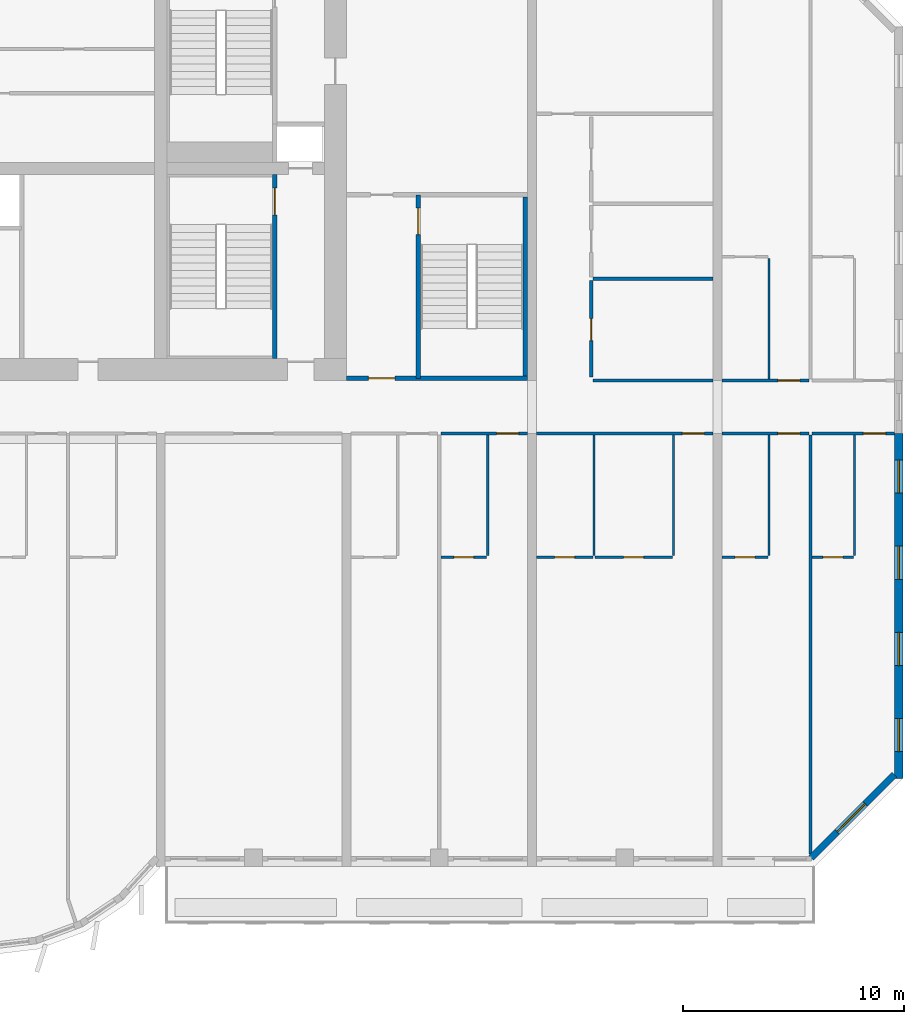
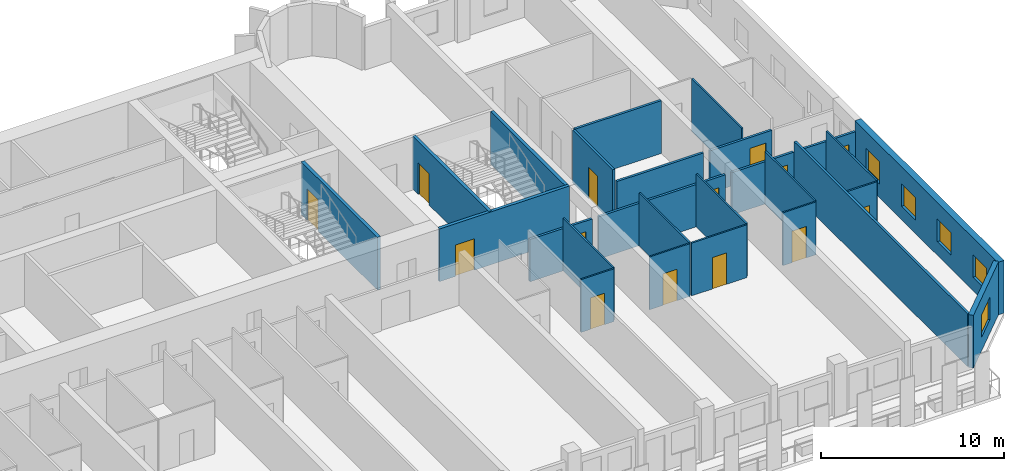
# One storey, part 9 of 15: 26 walls, 14 doors, 5 windows, 19 openings.
"""IFC4 building model written with IfcOpenShell, lengths in metres."""

from ifc_helpers import new_model, si_unit, direction, frame, frame_2d, origin, place, context, subcontext, project, spatial, rectangle, extrude, source, transform, mapped, material, layer, layer_set, type_object, element, fill, save


model = new_model("IFC4")

# Units and contexts
model_context = context("Model", 3, precision=1e-05, world=origin(), true_north=direction((0.0, 1.0)))
body_context = subcontext(model_context, "Body", "Model", "MODEL_VIEW")
ifc_project = project(units=[si_unit("LENGTHUNIT", "METRE"), si_unit("AREAUNIT", "SQUARE_METRE"), si_unit("VOLUMEUNIT", "CUBIC_METRE"), si_unit("PLANEANGLEUNIT", "RADIAN"), si_unit("MASSUNIT", "GRAM", prefix="KILO")], contexts=[model_context])

# Site, building, storey
site_placement = place(None, origin())
site = spatial("IfcSite", under=ifc_project, at=site_placement, CompositionType="ELEMENT")
building_placement = place(site_placement, origin())
building = spatial("IfcBuilding", under=site, at=building_placement, Name="Vanashikhar Sky Hotel", CompositionType="ELEMENT")
storey_placement = place(building_placement, frame((0.0, 0.0, 77.199951171875)))
storey = spatial("IfcBuildingStorey", under=building, at=storey_placement, Name="L18", CompositionType="ELEMENT", Elevation=77.199951171875)

# Wall, openings, windows
ifc_material_1 = material(Name="Concrete M80", Category="concrete")
ifc_layer_1 = layer(ifc_material_1, 0.39990234375)
ifc_layer_set_1 = layer_set([ifc_layer_1], Name="RC shear wall 400 Concrete M80")
wall_type_1 = type_object("IfcWallType", Name="RC shear wall 400 Concrete M80", PredefinedType="SHEAR", material=ifc_layer_set_1)
shared_shape_1 = source(origin(), body_context, "Body", "SweptSolid", [
    extrude(rectangle(XDim=15.60009765625, YDim=0.39990234375, at=frame_2d((7.800048828125, 0.0))), origin(), (0.0, 0.0, 1.0), 3.52001953125),
])
wall_1_placement = place(storey_placement, frame((100.60009765625, 4.0, 0.0), z_axis=(0.0, 0.0, 1.0), x_axis=(0.0, 1.0, 0.0)))
wall_1 = element("IfcWall", 1, at=wall_1_placement, inside=storey, type_object=wall_type_1, Name="CW-L18-XW13-1", PredefinedType="SHEAR", context=body_context, shape_type="MappedRepresentation", body=[
    mapped(shared_shape_1, transform((0.0, 0.0, 0.0), scale=1.0)),
])
shared_shape_2 = source(origin(), body_context, "Body", "SweptSolid", [
    extrude(rectangle(XDim=1.5, YDim=1.5, at=frame_2d((0.75, 0.75))), frame((0.0, 0.2099609375, 0.0), z_axis=(0.0, -1.0, 0.0), x_axis=(1.0, 0.0, 0.0)), (0.0, 0.0, 1.0), 0.419921875),
])
opening_1_placement = place(wall_1_placement, frame((1.199951171875, 0.0, 0.89990234375)))
opening_1 = element("IfcOpeningElement", 2, at=opening_1_placement, cuts=wall_1, Name="Opening WN-1", PredefinedType="OPENING", context=body_context, shape_type="MappedRepresentation", body=[
    mapped(shared_shape_2, transform((0.0, 0.0, 0.0), scale=1.0)),
])
opening_2_placement = place(wall_1_placement, frame((5.10009765625, 0.0, 0.89990234375)))
opening_2 = element("IfcOpeningElement", 3, at=opening_2_placement, cuts=wall_1, Name="Opening WN-1", PredefinedType="OPENING", context=body_context, shape_type="MappedRepresentation", body=[
    mapped(shared_shape_2, transform((0.0, 0.0, 0.0), scale=1.0)),
])
opening_3_placement = place(wall_1_placement, frame((9.0, 0.0, 0.89990234375)))
opening_3 = element("IfcOpeningElement", 4, at=opening_3_placement, cuts=wall_1, Name="Opening WN-1", PredefinedType="OPENING", context=body_context, shape_type="MappedRepresentation", body=[
    mapped(shared_shape_2, transform((0.0, 0.0, 0.0), scale=1.0)),
])
opening_4_placement = place(wall_1_placement, frame((12.89990234375, 0.0, 0.89990234375)))
opening_4 = element("IfcOpeningElement", 5, at=opening_4_placement, cuts=wall_1, Name="Opening WN-1", PredefinedType="OPENING", context=body_context, shape_type="MappedRepresentation", body=[
    mapped(shared_shape_2, transform((0.0, 0.0, 0.0), scale=1.0)),
])
ifc_material_2 = material(Name="Glass", Category="glass")
window_type_1 = type_object("IfcWindowType", Name="Window 1500 x 1500", PartitioningType="SINGLE_PANEL", PredefinedType="WINDOW", material=ifc_material_2)
shared_shape_3 = source(origin(), body_context, "Body", "SweptSolid", [
    extrude(rectangle(XDim=1.5, YDim=1.5, at=frame_2d((0.75, 0.75))), frame((0.0, 0.030029296875, 0.0), z_axis=(0.0, -1.0, 0.0), x_axis=(1.0, 0.0, 0.0)), (0.0, 0.0, 1.0), 0.06005859375),
])
window_1_placement = place(opening_1_placement, origin())
window_1 = element("IfcWindow", 6, at=window_1_placement, inside=storey, type_object=window_type_1, Name="Window WN-1", OverallHeight=1.5, OverallWidth=1.5, PartitioningType="SINGLE_PANEL", PredefinedType="WINDOW", context=body_context, shape_type="MappedRepresentation", body=[
    mapped(shared_shape_3, transform((0.0, 0.0, 0.0), scale=1.0)),
])
fill(opening_1, window_1)
window_2_placement = place(opening_2_placement, origin())
window_2 = element("IfcWindow", 7, at=window_2_placement, inside=storey, type_object=window_type_1, Name="Window WN-1", OverallHeight=1.5, OverallWidth=1.5, PartitioningType="SINGLE_PANEL", PredefinedType="WINDOW", context=body_context, shape_type="MappedRepresentation", body=[
    mapped(shared_shape_3, transform((0.0, 0.0, 0.0), scale=1.0)),
])
fill(opening_2, window_2)
window_3_placement = place(opening_3_placement, origin())
window_3 = element("IfcWindow", 8, at=window_3_placement, inside=storey, type_object=window_type_1, Name="Window WN-1", OverallHeight=1.5, OverallWidth=1.5, PartitioningType="SINGLE_PANEL", PredefinedType="WINDOW", context=body_context, shape_type="MappedRepresentation", body=[
    mapped(shared_shape_3, transform((0.0, 0.0, 0.0), scale=1.0)),
])
fill(opening_3, window_3)
window_4_placement = place(opening_4_placement, origin())
window_4 = element("IfcWindow", 9, at=window_4_placement, inside=storey, type_object=window_type_1, Name="Window WN-1", OverallHeight=1.5, OverallWidth=1.5, PartitioningType="SINGLE_PANEL", PredefinedType="WINDOW", context=body_context, shape_type="MappedRepresentation", body=[
    mapped(shared_shape_3, transform((0.0, 0.0, 0.0), scale=1.0)),
])
fill(opening_4, window_4)

# Wall, opening, window
ifc_material_3 = material(Name="Concrete M50", Category="concrete")
ifc_layer_2 = layer(ifc_material_3, 0.300048828125)
ifc_layer_set_2 = layer_set([ifc_layer_2], Name="Lobe wall 300")
wall_type_2 = type_object("IfcWallType", Name="Lobe wall 300", PredefinedType="SOLIDWALL", material=ifc_layer_set_2)
shared_shape_4 = source(origin(), body_context, "Body", "SweptSolid", [
    extrude(rectangle(XDim=5.32568359375, YDim=0.300048828125, at=frame_2d((2.662841796875, 0.0))), origin(), (0.0, 0.0, 1.0), 3.52001953125),
])
wall_2_placement = place(storey_placement, frame((96.63427734375, 0.39990234375, 0.0), z_axis=(0.0, 0.0, 1.0), x_axis=(0.707083859269, 0.707129702361, 0.0)))
wall_2 = element("IfcWall", 10, at=wall_2_placement, inside=storey, type_object=wall_type_2, Name="Corner wall", PredefinedType="SOLIDWALL", context=body_context, shape_type="MappedRepresentation", body=[
    mapped(shared_shape_4, transform((0.0, 0.0, 0.0), scale=1.0)),
])
shared_shape_5 = source(origin(), body_context, "Body", "SweptSolid", [
    extrude(rectangle(XDim=1.800048828125, YDim=1.5, at=frame_2d((0.89990234375, 0.75))), frame((0.0, 0.16015625, 0.0), z_axis=(0.0, -1.0, 0.0), x_axis=(1.0, 0.0, 0.0)), (0.0, 0.0, 1.0), 0.320068359375),
])
opening_5_placement = place(wall_2_placement, frame((1.654296875, 0.0, 0.89990234375)))
opening_5 = element("IfcOpeningElement", 11, at=opening_5_placement, cuts=wall_2, Name="Opening WN-4", PredefinedType="OPENING", context=body_context, shape_type="MappedRepresentation", body=[
    mapped(shared_shape_5, transform((0.0, 0.0, 0.0), scale=1.0)),
])
window_type_2 = type_object("IfcWindowType", Name="Corner window 1800 x 1500", PartitioningType="SINGLE_PANEL", PredefinedType="WINDOW", material=ifc_material_2)
shared_shape_6 = source(origin(), body_context, "Body", "SweptSolid", [
    extrude(rectangle(XDim=1.800048828125, YDim=1.5, at=frame_2d((0.89990234375, 0.75))), frame((0.0, 0.030029296875, 0.0), z_axis=(0.0, -1.0, 0.0), x_axis=(1.0, 0.0, 0.0)), (0.0, 0.0, 1.0), 0.06005859375),
])
window_5_placement = place(opening_5_placement, origin())
window_5 = element("IfcWindow", 12, at=window_5_placement, inside=storey, type_object=window_type_2, Name="Window WN-4", OverallHeight=1.5, OverallWidth=1.800048828125, PartitioningType="SINGLE_PANEL", PredefinedType="WINDOW", context=body_context, shape_type="MappedRepresentation", body=[
    mapped(shared_shape_6, transform((0.0, 0.0, 0.0), scale=1.0)),
])
fill(opening_5, window_5)

# Wall, opening, door
ifc_layer_3 = layer(ifc_material_3, 0.199951171875)
ifc_layer_set_3 = layer_set([ifc_layer_3], Name="Stair wall 200")
wall_type_3 = type_object("IfcWallType", Name="Stair wall 200", PredefinedType="SOLIDWALL", material=ifc_layer_set_3)
shared_shape_7 = source(origin(), body_context, "Body", "SweptSolid", [
    extrude(rectangle(XDim=8.199951171875, YDim=0.199951171875, at=frame_2d((4.10009765625, 0.0))), origin(), (0.0, 0.0, 1.0), 3.52001953125),
])
wall_3_placement = place(storey_placement, frame((83.800048828125, 22.10009765625, 0.0), z_axis=(0.0, 0.0, 1.0), x_axis=(-1.0, 0.0, 0.0)))
wall_3 = element("IfcWall", 13, at=wall_3_placement, inside=storey, type_object=wall_type_3, Name="Stair wall 200", PredefinedType="SOLIDWALL", context=body_context, shape_type="MappedRepresentation", body=[
    mapped(shared_shape_7, transform((0.0, 0.0, 0.0), scale=1.0)),
])
shared_shape_8 = source(origin(), body_context, "Body", "SweptSolid", [
    extrude(rectangle(XDim=1.199951171875, YDim=2.10009765625, at=frame_2d((0.60009765625, 1.050048828125))), frame((0.0, 0.10986328125, 0.0), z_axis=(0.0, -1.0, 0.0), x_axis=(1.0, 0.0, 0.0)), (0.0, 0.0, 1.0), 0.219970703125),
])
opening_6_placement = place(wall_3_placement, frame((6.0, 0.0, 0.0)))
opening_6 = element("IfcOpeningElement", 14, at=opening_6_placement, cuts=wall_3, Name="Opening DC-2", PredefinedType="OPENING", context=body_context, shape_type="MappedRepresentation", body=[
    mapped(shared_shape_8, transform((0.0, 0.0, 0.0), scale=1.0)),
])
ifc_material_4 = material(Name="Steel", Category="steel")
door_type_1 = type_object("IfcDoorType", Name="Firefighting lobby door 1200 FD120", OperationType="NOTDEFINED", PredefinedType="DOOR", material=ifc_material_4)
shared_shape_9 = source(origin(), body_context, "Body", "SweptSolid", [
    extrude(rectangle(XDim=1.199951171875, YDim=2.10009765625, at=frame_2d((0.60009765625, 1.050048828125))), frame((0.0, 0.02490234375, 0.0), z_axis=(0.0, -1.0, 0.0), x_axis=(1.0, 0.0, 0.0)), (0.0, 0.0, 1.0), 0.050048828125),
])
door_1_placement = place(opening_6_placement, origin())
door_1 = element("IfcDoor", 15, at=door_1_placement, inside=storey, type_object=door_type_1, Name="Firefighting lobby door 1200 FD120", OperationType="SINGLE_SWING_RIGHT", OverallHeight=2.10009765625, OverallWidth=1.199951171875, PredefinedType="DOOR", context=body_context, shape_type="MappedRepresentation", body=[
    mapped(shared_shape_9, transform((0.0, 0.0, 0.0), scale=1.0)),
])
fill(opening_6, door_1)

shared_shape_10 = source(origin(), body_context, "Body", "SweptSolid", [
    extrude(rectangle(XDim=8.2998046875, YDim=0.199951171875, at=frame_2d((4.14990234375, 0.0))), origin(), (0.0, 0.0, 1.0), 3.52001953125),
])
wall_4_placement = place(storey_placement, frame((78.85009765625, 22.10009765625, 0.0), z_axis=(0.0, 0.0, 1.0), x_axis=(0.0, 1.0, 0.0)))
wall_4 = element("IfcWall", 16, at=wall_4_placement, inside=storey, type_object=wall_type_3, Name="Stair wall 200", PredefinedType="SOLIDWALL", context=body_context, shape_type="MappedRepresentation", body=[
    mapped(shared_shape_10, transform((0.0, 0.0, 0.0), scale=1.0)),
])
opening_7_placement = place(wall_4_placement, frame((6.5, 0.0, 0.0)))
opening_7 = element("IfcOpeningElement", 17, at=opening_7_placement, cuts=wall_4, Name="Opening DC-1", PredefinedType="OPENING", context=body_context, shape_type="MappedRepresentation", body=[
    mapped(shared_shape_8, transform((0.0, 0.0, 0.0), scale=1.0)),
])
door_type_2 = type_object("IfcDoorType", Name="Stair door 1200 FD120", OperationType="NOTDEFINED", PredefinedType="DOOR", material=ifc_material_4)
door_2_placement = place(opening_7_placement, origin())
door_2 = element("IfcDoor", 18, at=door_2_placement, inside=storey, type_object=door_type_2, Name="Stair door 1200 FD120", OperationType="SINGLE_SWING_RIGHT", OverallHeight=2.10009765625, OverallWidth=1.199951171875, PredefinedType="DOOR", context=body_context, shape_type="MappedRepresentation", body=[
    mapped(shared_shape_9, transform((0.0, 0.0, 0.0), scale=1.0)),
])
fill(opening_7, door_2)

shared_shape_11 = source(origin(), body_context, "Body", "SweptSolid", [
    extrude(rectangle(XDim=8.324951171875, YDim=0.199951171875, at=frame_2d((4.16259765625, 0.0))), origin(), (0.0, 0.0, 1.0), 3.52001953125),
])
wall_5_placement = place(storey_placement, frame((72.35009765625, 23.0, 0.0), z_axis=(0.0, 0.0, 1.0), x_axis=(0.0, 1.0, 0.0)))
wall_5 = element("IfcWall", 19, at=wall_5_placement, inside=storey, type_object=wall_type_3, Name="Stair wall 200", PredefinedType="SOLIDWALL", context=body_context, shape_type="MappedRepresentation", body=[
    mapped(shared_shape_11, transform((0.0, 0.0, 0.0), scale=1.0)),
])
opening_8_placement = place(wall_5_placement, frame((6.5, 0.0, 0.0)))
opening_8 = element("IfcOpeningElement", 20, at=opening_8_placement, cuts=wall_5, Name="Opening DC-1", PredefinedType="OPENING", context=body_context, shape_type="MappedRepresentation", body=[
    mapped(shared_shape_8, transform((0.0, 0.0, 0.0), scale=1.0)),
])
door_3_placement = place(opening_8_placement, origin())
door_3 = element("IfcDoor", 21, at=door_3_placement, inside=storey, type_object=door_type_2, Name="Stair door 1200 FD120", OperationType="SINGLE_SWING_LEFT", OverallHeight=2.10009765625, OverallWidth=1.199951171875, PredefinedType="DOOR", context=body_context, shape_type="MappedRepresentation", body=[
    mapped(shared_shape_9, transform((0.0, 0.0, 0.0), scale=1.0)),
])
fill(opening_8, door_3)

# Walls
ifc_layer_4 = layer(ifc_material_3, 0.199951171875)
ifc_layer_set_4 = layer_set([ifc_layer_4], Name="Stair infill wall 200")
wall_type_4 = type_object("IfcWallType", Name="Stair infill wall 200", PredefinedType="SOLIDWALL", material=ifc_layer_set_4)
shared_shape_12 = source(origin(), body_context, "Body", "SweptSolid", [
    extrude(rectangle(XDim=8.10009765625, YDim=0.199951171875, at=frame_2d((4.050048828125, 0.0))), origin(), (0.0, 0.0, 1.0), 3.52001953125),
])
wall_6_placement = place(storey_placement, frame((83.699951171875, 22.199951171875, 0.0), z_axis=(0.0, 0.0, 1.0), x_axis=(0.0, 1.0, 0.0)))
element("IfcWall", 22, at=wall_6_placement, inside=storey, type_object=wall_type_4, Name="Stair infill wall 200", PredefinedType="SOLIDWALL", context=body_context, shape_type="MappedRepresentation", body=[
    mapped(shared_shape_12, transform((0.0, 0.0, 0.0), scale=1.0)),
])
ifc_material_5 = material(Name="Gypsum plasterboard partition")
ifc_layer_5 = layer(ifc_material_5, 0.14990234375)
ifc_layer_set_5 = layer_set([ifc_layer_5], Name="Corridor and demising partition 150")
wall_type_5 = type_object("IfcWallType", Name="Corridor and demising partition 150", PredefinedType="PARTITIONING", material=ifc_layer_set_5)
shared_shape_13 = source(origin(), body_context, "Body", "SweptSolid", [
    extrude(rectangle(XDim=18.947021484375, YDim=0.14990234375, at=frame_2d((9.4736328125, 0.0))), origin(), (0.0, 0.0, 1.0), 3.52001953125),
])
wall_7_placement = place(storey_placement, frame((96.60009765625, 0.577880859375, 0.0), z_axis=(0.0, 0.0, 1.0), x_axis=(0.0, 1.0, 0.0)))
element("IfcWall", 23, at=wall_7_placement, inside=storey, type_object=wall_type_5, Name="W-L18-PW068", PredefinedType="PARTITIONING", context=body_context, shape_type="MappedRepresentation", body=[
    mapped(shared_shape_13, transform((0.0, 0.0, 0.0), scale=1.0)),
])

# Wall, opening, door
shared_shape_14 = source(origin(), body_context, "Body", "SweptSolid", [
    extrude(rectangle(XDim=4.375, YDim=0.14990234375, at=frame_2d((2.1875, 0.0))), origin(), (0.0, 0.0, 1.0), 3.52001953125),
])
wall_8_placement = place(storey_placement, frame((86.675048828125, 22.14990234375, 0.0), z_axis=(0.0, 0.0, 1.0), x_axis=(0.0, 1.0, 0.0)))
wall_8 = element("IfcWall", 24, at=wall_8_placement, inside=storey, type_object=wall_type_5, Name="W-L18-PW086", PredefinedType="PARTITIONING", context=body_context, shape_type="MappedRepresentation", body=[
    mapped(shared_shape_14, transform((0.0, 0.0, 0.0), scale=1.0)),
])
shared_shape_15 = source(origin(), body_context, "Body", "SweptSolid", [
    extrude(rectangle(XDim=1.0, YDim=2.10009765625, at=frame_2d((0.5, 1.050048828125))), frame((0.0, 0.0849609375, 0.0), z_axis=(0.0, -1.0, 0.0), x_axis=(1.0, 0.0, 0.0)), (0.0, 0.0, 1.0), 0.169921875),
])
opening_9_placement = place(wall_8_placement, frame((1.64990234375, 0.0, 0.0)))
opening_9 = element("IfcOpeningElement", 25, at=opening_9_placement, cuts=wall_8, Name="Opening D-01", PredefinedType="OPENING", context=body_context, shape_type="MappedRepresentation", body=[
    mapped(shared_shape_15, transform((0.0, 0.0, 0.0), scale=1.0)),
])
ifc_material_6 = material(Name="Timber fire door", Category="wood")
door_type_3 = type_object("IfcDoorType", Name="Guest entry door 1000 FD30S", OperationType="NOTDEFINED", PredefinedType="DOOR", material=ifc_material_6)
shared_shape_16 = source(origin(), body_context, "Body", "SweptSolid", [
    extrude(rectangle(XDim=1.0, YDim=2.10009765625, at=frame_2d((0.5, 1.050048828125))), frame((0.0, 0.02490234375, 0.0), z_axis=(0.0, -1.0, 0.0), x_axis=(1.0, 0.0, 0.0)), (0.0, 0.0, 1.0), 0.050048828125),
])
door_4_placement = place(opening_9_placement, origin())
door_4 = element("IfcDoor", 26, at=door_4_placement, inside=storey, type_object=door_type_3, Name="D-L18-049", OperationType="SINGLE_SWING_LEFT", OverallHeight=2.10009765625, OverallWidth=1.0, PredefinedType="DOOR", context=body_context, shape_type="MappedRepresentation", body=[
    mapped(shared_shape_16, transform((0.0, 0.0, 0.0), scale=1.0)),
])
fill(opening_9, door_4)

ifc_layer_6 = layer(ifc_material_5, 0.10009765625)
ifc_layer_set_6 = layer_set([ifc_layer_6], Name="Wet room partition 100")
wall_type_6 = type_object("IfcWallType", Name="Wet room partition 100", PredefinedType="PARTITIONING", material=ifc_layer_set_6)
shared_shape_17 = source(origin(), body_context, "Body", "SweptSolid", [
    extrude(rectangle(XDim=3.5, YDim=0.10009765625, at=frame_2d((1.75, 0.0))), origin(), (0.0, 0.0, 1.0), 3.52001953125),
])
wall_9_placement = place(storey_placement, frame((86.85009765625, 14.0, 0.0), z_axis=(0.0, 0.0, 1.0), x_axis=(1.0, 0.0, 0.0)))
wall_9 = element("IfcWall", 27, at=wall_9_placement, inside=storey, type_object=wall_type_6, Name="W-L18-PW059", PredefinedType="PARTITIONING", context=body_context, shape_type="MappedRepresentation", body=[
    mapped(shared_shape_17, transform((0.0, 0.0, 0.0), scale=1.0)),
])
shared_shape_18 = source(origin(), body_context, "Body", "SweptSolid", [
    extrude(rectangle(XDim=0.89990234375, YDim=2.10009765625, at=frame_2d((0.449951171875, 1.050048828125))), frame((0.0, 0.06005859375, 0.0), z_axis=(0.0, -1.0, 0.0), x_axis=(1.0, 0.0, 0.0)), (0.0, 0.0, 1.0), 0.1201171875),
])
opening_10_placement = place(wall_9_placement, frame((1.300048828125, 0.0, 0.0)))
opening_10 = element("IfcOpeningElement", 28, at=opening_10_placement, cuts=wall_9, Name="Opening D-02", PredefinedType="OPENING", context=body_context, shape_type="MappedRepresentation", body=[
    mapped(shared_shape_18, transform((0.0, 0.0, 0.0), scale=1.0)),
])
ifc_material_7 = material(Name="Timber door", Category="wood")
door_type_4 = type_object("IfcDoorType", Name="Internal door 900", OperationType="NOTDEFINED", PredefinedType="DOOR", material=ifc_material_7)
shared_shape_19 = source(origin(), body_context, "Body", "SweptSolid", [
    extrude(rectangle(XDim=0.89990234375, YDim=2.10009765625, at=frame_2d((0.449951171875, 1.050048828125))), frame((0.0, 0.02490234375, 0.0), z_axis=(0.0, -1.0, 0.0), x_axis=(1.0, 0.0, 0.0)), (0.0, 0.0, 1.0), 0.050048828125),
])
door_5_placement = place(opening_10_placement, origin())
door_5 = element("IfcDoor", 29, at=door_5_placement, inside=storey, type_object=door_type_4, Name="D-L18-034", OperationType="SINGLE_SWING_RIGHT", OverallHeight=2.10009765625, OverallWidth=0.89990234375, PredefinedType="DOOR", context=body_context, shape_type="MappedRepresentation", body=[
    mapped(shared_shape_19, transform((0.0, 0.0, 0.0), scale=1.0)),
])
fill(opening_10, door_5)

shared_shape_20 = source(origin(), body_context, "Body", "SweptSolid", [
    extrude(rectangle(XDim=2.074951171875, YDim=0.10009765625, at=frame_2d((1.03759765625, 0.0))), origin(), (0.0, 0.0, 1.0), 3.52001953125),
])
wall_10_placement = place(storey_placement, frame((79.875, 14.0, 0.0), z_axis=(0.0, 0.0, 1.0), x_axis=(1.0, 0.0, 0.0)))
wall_10 = element("IfcWall", 30, at=wall_10_placement, inside=storey, type_object=wall_type_6, Name="W-L18-PW054", PredefinedType="PARTITIONING", context=body_context, shape_type="MappedRepresentation", body=[
    mapped(shared_shape_20, transform((0.0, 0.0, 0.0), scale=1.0)),
])
opening_11_placement = place(wall_10_placement, frame((0.5869140625, 0.0, 0.0)))
opening_11 = element("IfcOpeningElement", 31, at=opening_11_placement, cuts=wall_10, Name="Opening D-02", PredefinedType="OPENING", context=body_context, shape_type="MappedRepresentation", body=[
    mapped(shared_shape_18, transform((0.0, 0.0, 0.0), scale=1.0)),
])
door_6_placement = place(opening_11_placement, origin())
door_6 = element("IfcDoor", 32, at=door_6_placement, inside=storey, type_object=door_type_4, Name="D-L18-032", OperationType="SINGLE_SWING_RIGHT", OverallHeight=2.10009765625, OverallWidth=0.89990234375, PredefinedType="DOOR", context=body_context, shape_type="MappedRepresentation", body=[
    mapped(shared_shape_19, transform((0.0, 0.0, 0.0), scale=1.0)),
])
fill(opening_11, door_6)

wall_11_placement = place(storey_placement, frame((92.60009765625, 14.0, 0.0), z_axis=(0.0, 0.0, 1.0), x_axis=(1.0, 0.0, 0.0)))
wall_11 = element("IfcWall", 33, at=wall_11_placement, inside=storey, type_object=wall_type_6, Name="W-L18-PW063", PredefinedType="PARTITIONING", context=body_context, shape_type="MappedRepresentation", body=[
    mapped(shared_shape_20, transform((0.0, 0.0, 0.0), scale=1.0)),
])
opening_12_placement = place(wall_11_placement, frame((0.5869140625, 0.0, 0.0)))
opening_12 = element("IfcOpeningElement", 34, at=opening_12_placement, cuts=wall_11, Name="Opening D-02", PredefinedType="OPENING", context=body_context, shape_type="MappedRepresentation", body=[
    mapped(shared_shape_18, transform((0.0, 0.0, 0.0), scale=1.0)),
])
door_7_placement = place(opening_12_placement, origin())
door_7 = element("IfcDoor", 35, at=door_7_placement, inside=storey, type_object=door_type_4, Name="D-L18-037", OperationType="SINGLE_SWING_RIGHT", OverallHeight=2.10009765625, OverallWidth=0.89990234375, PredefinedType="DOOR", context=body_context, shape_type="MappedRepresentation", body=[
    mapped(shared_shape_19, transform((0.0, 0.0, 0.0), scale=1.0)),
])
fill(opening_12, door_7)

shared_shape_21 = source(origin(), body_context, "Body", "SweptSolid", [
    extrude(rectangle(XDim=3.9248046875, YDim=0.14990234375, at=frame_2d((1.96240234375, 0.0))), origin(), (0.0, 0.0, 1.0), 2.820068359375),
])
wall_12_placement = place(storey_placement, frame((92.60009765625, 19.60009765625, 0.0), z_axis=(0.0, 0.0, 1.0), x_axis=(1.0, 0.0, 0.0)))
wall_12 = element("IfcWall", 36, at=wall_12_placement, inside=storey, type_object=wall_type_5, Name="W-L18-PW064", PredefinedType="PARTITIONING", context=body_context, shape_type="MappedRepresentation", body=[
    mapped(shared_shape_21, transform((0.0, 0.0, 0.0), scale=1.0)),
])
opening_13_placement = place(wall_12_placement, frame((2.52490234375, 0.0, 0.0)))
opening_13 = element("IfcOpeningElement", 37, at=opening_13_placement, cuts=wall_12, Name="Opening D-01", PredefinedType="OPENING", context=body_context, shape_type="MappedRepresentation", body=[
    mapped(shared_shape_15, transform((0.0, 0.0, 0.0), scale=1.0)),
])
door_8_placement = place(opening_13_placement, origin())
door_8 = element("IfcDoor", 38, at=door_8_placement, inside=storey, type_object=door_type_3, Name="D-L18-038", OperationType="SINGLE_SWING_RIGHT", OverallHeight=2.10009765625, OverallWidth=1.0, PredefinedType="DOOR", context=body_context, shape_type="MappedRepresentation", body=[
    mapped(shared_shape_16, transform((0.0, 0.0, 0.0), scale=1.0)),
])
fill(opening_13, door_8)

wall_13_placement = place(storey_placement, frame((92.60009765625, 22.0, 0.0), z_axis=(0.0, 0.0, 1.0), x_axis=(1.0, 0.0, 0.0)))
wall_13 = element("IfcWall", 39, at=wall_13_placement, inside=storey, type_object=wall_type_5, Name="W-L18-PW094", PredefinedType="PARTITIONING", context=body_context, shape_type="MappedRepresentation", body=[
    mapped(shared_shape_21, transform((0.0, 0.0, 0.0), scale=1.0)),
])
opening_14_placement = place(wall_13_placement, frame((2.52490234375, 0.0, 0.0)))
opening_14 = element("IfcOpeningElement", 40, at=opening_14_placement, cuts=wall_13, Name="Opening D-01", PredefinedType="OPENING", context=body_context, shape_type="MappedRepresentation", body=[
    mapped(shared_shape_15, transform((0.0, 0.0, 0.0), scale=1.0)),
])
door_9_placement = place(opening_14_placement, origin())
door_9 = element("IfcDoor", 41, at=door_9_placement, inside=storey, type_object=door_type_3, Name="D-L18-054", OperationType="SINGLE_SWING_RIGHT", OverallHeight=2.10009765625, OverallWidth=1.0, PredefinedType="DOOR", context=body_context, shape_type="MappedRepresentation", body=[
    mapped(shared_shape_16, transform((0.0, 0.0, 0.0), scale=1.0)),
])
fill(opening_14, door_9)

shared_shape_22 = source(origin(), body_context, "Body", "SweptSolid", [
    extrude(rectangle(XDim=3.925048828125, YDim=0.14990234375, at=frame_2d((1.96240234375, 0.0))), origin(), (0.0, 0.0, 1.0), 2.820068359375),
])
wall_14_placement = place(storey_placement, frame((79.875, 19.60009765625, 0.0), z_axis=(0.0, 0.0, 1.0), x_axis=(1.0, 0.0, 0.0)))
wall_14 = element("IfcWall", 42, at=wall_14_placement, inside=storey, type_object=wall_type_5, Name="W-L18-PW055", PredefinedType="PARTITIONING", context=body_context, shape_type="MappedRepresentation", body=[
    mapped(shared_shape_22, transform((0.0, 0.0, 0.0), scale=1.0)),
])
opening_15_placement = place(wall_14_placement, frame((2.52490234375, 0.0, 0.0)))
opening_15 = element("IfcOpeningElement", 43, at=opening_15_placement, cuts=wall_14, Name="Opening D-01", PredefinedType="OPENING", context=body_context, shape_type="MappedRepresentation", body=[
    mapped(shared_shape_15, transform((0.0, 0.0, 0.0), scale=1.0)),
])
door_10_placement = place(opening_15_placement, origin())
door_10 = element("IfcDoor", 44, at=door_10_placement, inside=storey, type_object=door_type_3, Name="D-L18-033", OperationType="SINGLE_SWING_RIGHT", OverallHeight=2.10009765625, OverallWidth=1.0, PredefinedType="DOOR", context=body_context, shape_type="MappedRepresentation", body=[
    mapped(shared_shape_16, transform((0.0, 0.0, 0.0), scale=1.0)),
])
fill(opening_15, door_10)

shared_shape_23 = source(origin(), body_context, "Body", "SweptSolid", [
    extrude(rectangle(XDim=2.550048828125, YDim=0.10009765625, at=frame_2d((1.27490234375, 0.0))), origin(), (0.0, 0.0, 1.0), 3.52001953125),
])
wall_15_placement = place(storey_placement, frame((84.199951171875, 14.0, 0.0), z_axis=(0.0, 0.0, 1.0), x_axis=(1.0, 0.0, 0.0)))
wall_15 = element("IfcWall", 45, at=wall_15_placement, inside=storey, type_object=wall_type_6, Name="W-L18-PW060", PredefinedType="PARTITIONING", context=body_context, shape_type="MappedRepresentation", body=[
    mapped(shared_shape_23, transform((0.0, 0.0, 0.0), scale=1.0)),
])
opening_16_placement = place(wall_15_placement, frame((0.824951171875, 0.0, 0.0)))
opening_16 = element("IfcOpeningElement", 46, at=opening_16_placement, cuts=wall_15, Name="Opening D-02", PredefinedType="OPENING", context=body_context, shape_type="MappedRepresentation", body=[
    mapped(shared_shape_18, transform((0.0, 0.0, 0.0), scale=1.0)),
])
door_11_placement = place(opening_16_placement, origin())
door_11 = element("IfcDoor", 47, at=door_11_placement, inside=storey, type_object=door_type_4, Name="D-L18-035", OperationType="SINGLE_SWING_RIGHT", OverallHeight=2.10009765625, OverallWidth=0.89990234375, PredefinedType="DOOR", context=body_context, shape_type="MappedRepresentation", body=[
    mapped(shared_shape_19, transform((0.0, 0.0, 0.0), scale=1.0)),
])
fill(opening_16, door_11)

shared_shape_24 = source(origin(), body_context, "Body", "SweptSolid", [
    extrude(rectangle(XDim=8.0, YDim=0.14990234375, at=frame_2d((4.0, 0.0))), origin(), (0.0, 0.0, 1.0), 2.820068359375),
])
wall_16_placement = place(storey_placement, frame((84.199951171875, 19.60009765625, 0.0), z_axis=(0.0, 0.0, 1.0), x_axis=(1.0, 0.0, 0.0)))
wall_16 = element("IfcWall", 48, at=wall_16_placement, inside=storey, type_object=wall_type_5, Name="W-L18-PW061", PredefinedType="PARTITIONING", context=body_context, shape_type="MappedRepresentation", body=[
    mapped(shared_shape_24, transform((0.0, 0.0, 0.0), scale=1.0)),
])
opening_17_placement = place(wall_16_placement, frame((6.60009765625, 0.0, 0.0)))
opening_17 = element("IfcOpeningElement", 49, at=opening_17_placement, cuts=wall_16, Name="Opening D-01", PredefinedType="OPENING", context=body_context, shape_type="MappedRepresentation", body=[
    mapped(shared_shape_15, transform((0.0, 0.0, 0.0), scale=1.0)),
])
door_12_placement = place(opening_17_placement, origin())
door_12 = element("IfcDoor", 50, at=door_12_placement, inside=storey, type_object=door_type_3, Name="D-L18-036", OperationType="SINGLE_SWING_RIGHT", OverallHeight=2.10009765625, OverallWidth=1.0, PredefinedType="DOOR", context=body_context, shape_type="MappedRepresentation", body=[
    mapped(shared_shape_16, transform((0.0, 0.0, 0.0), scale=1.0)),
])
fill(opening_17, door_12)

# Walls
shared_shape_25 = source(origin(), body_context, "Body", "SweptSolid", [
    extrude(rectangle(XDim=5.449951171875, YDim=0.14990234375, at=frame_2d((2.72509765625, 0.0))), origin(), (0.0, 0.0, 1.0), 2.820068359375),
])
wall_17_placement = place(storey_placement, frame((86.75, 22.0, 0.0), z_axis=(0.0, 0.0, 1.0), x_axis=(1.0, 0.0, 0.0)))
element("IfcWall", 51, at=wall_17_placement, inside=storey, type_object=wall_type_5, Name="W-L18-PW085", PredefinedType="PARTITIONING", context=body_context, shape_type="MappedRepresentation", body=[
    mapped(shared_shape_25, transform((0.0, 0.0, 0.0), scale=1.0)),
])
shared_shape_26 = source(origin(), body_context, "Body", "SweptSolid", [
    extrude(rectangle(XDim=5.449951171875, YDim=0.14990234375, at=frame_2d((2.72509765625, 0.0))), origin(), (0.0, 0.0, 1.0), 3.52001953125),
])
wall_18_placement = place(storey_placement, frame((86.75, 26.60009765625, 0.0), z_axis=(0.0, 0.0, 1.0), x_axis=(1.0, 0.0, 0.0)))
element("IfcWall", 52, at=wall_18_placement, inside=storey, type_object=wall_type_5, Name="W-L18-PW087", PredefinedType="PARTITIONING", context=body_context, shape_type="MappedRepresentation", body=[
    mapped(shared_shape_26, transform((0.0, 0.0, 0.0), scale=1.0)),
])

# Wall, opening, door
shared_shape_27 = source(origin(), body_context, "Body", "SweptSolid", [
    extrude(rectangle(XDim=1.875, YDim=0.10009765625, at=frame_2d((0.9375, 0.0))), origin(), (0.0, 0.0, 1.0), 3.52001953125),
])
wall_19_placement = place(storey_placement, frame((96.675048828125, 14.0, 0.0), z_axis=(0.0, 0.0, 1.0), x_axis=(1.0, 0.0, 0.0)))
wall_19 = element("IfcWall", 53, at=wall_19_placement, inside=storey, type_object=wall_type_6, Name="W-L18-PW066", PredefinedType="PARTITIONING", context=body_context, shape_type="MappedRepresentation", body=[
    mapped(shared_shape_27, transform((0.0, 0.0, 0.0), scale=1.0)),
])
opening_18_placement = place(wall_19_placement, frame((0.488037109375, 0.0, 0.0)))
opening_18 = element("IfcOpeningElement", 54, at=opening_18_placement, cuts=wall_19, Name="Opening D-02", PredefinedType="OPENING", context=body_context, shape_type="MappedRepresentation", body=[
    mapped(shared_shape_18, transform((0.0, 0.0, 0.0), scale=1.0)),
])
door_13_placement = place(opening_18_placement, origin())
door_13 = element("IfcDoor", 55, at=door_13_placement, inside=storey, type_object=door_type_4, Name="D-L18-039", OperationType="SINGLE_SWING_RIGHT", OverallHeight=2.10009765625, OverallWidth=0.89990234375, PredefinedType="DOOR", context=body_context, shape_type="MappedRepresentation", body=[
    mapped(shared_shape_19, transform((0.0, 0.0, 0.0), scale=1.0)),
])
fill(opening_18, door_13)

shared_shape_28 = source(origin(), body_context, "Body", "SweptSolid", [
    extrude(rectangle(XDim=3.724853515625, YDim=0.14990234375, at=frame_2d((1.8623046875, 0.0))), origin(), (0.0, 0.0, 1.0), 2.820068359375),
])
wall_20_placement = place(storey_placement, frame((96.675048828125, 19.60009765625, 0.0), z_axis=(0.0, 0.0, 1.0), x_axis=(1.0, 0.0, 0.0)))
wall_20 = element("IfcWall", 56, at=wall_20_placement, inside=storey, type_object=wall_type_5, Name="W-L18-PW067", PredefinedType="PARTITIONING", context=body_context, shape_type="MappedRepresentation", body=[
    mapped(shared_shape_28, transform((0.0, 0.0, 0.0), scale=1.0)),
])
opening_19_placement = place(wall_20_placement, frame((2.324951171875, 0.0, 0.0)))
opening_19 = element("IfcOpeningElement", 57, at=opening_19_placement, cuts=wall_20, Name="Opening D-01", PredefinedType="OPENING", context=body_context, shape_type="MappedRepresentation", body=[
    mapped(shared_shape_15, transform((0.0, 0.0, 0.0), scale=1.0)),
])
door_14_placement = place(opening_19_placement, origin())
door_14 = element("IfcDoor", 58, at=door_14_placement, inside=storey, type_object=door_type_3, Name="D-L18-040", OperationType="SINGLE_SWING_RIGHT", OverallHeight=2.10009765625, OverallWidth=1.0, PredefinedType="DOOR", context=body_context, shape_type="MappedRepresentation", body=[
    mapped(shared_shape_16, transform((0.0, 0.0, 0.0), scale=1.0)),
])
fill(opening_19, door_14)

# Walls
shared_shape_29 = source(origin(), body_context, "Body", "SweptSolid", [
    extrude(rectangle(XDim=5.449951171875, YDim=0.10009765625, at=frame_2d((2.72509765625, 0.0))), origin(), (0.0, 0.0, 1.0), 3.52001953125),
])
for number, where, z_axis, x_axis, name in (
    (59, (82.0, 14.074951171875, 0.0), (0.0, 0.0, 1.0), (0.0, 1.0, 0.0), "W-L18-PW053"),
    (60, (90.39990234375, 14.074951171875, 0.0), (0.0, 0.0, 1.0), (0.0, 1.0, 0.0), "W-L18-PW057"),
    (61, (86.800048828125, 14.074951171875, 0.0), (0.0, 0.0, 1.0), (0.0, 1.0, 0.0), "W-L18-PW058"),
    (62, (94.72509765625, 14.074951171875, 0.0), (0.0, 0.0, 1.0), (0.0, 1.0, 0.0), "W-L18-PW062"),
    (63, (98.60009765625, 14.074951171875, 0.0), (0.0, 0.0, 1.0), (0.0, 1.0, 0.0), "W-L18-PW065"),
    (64, (94.72509765625, 22.074951171875, 0.0), (0.0, 0.0, 1.0), (0.0, 1.0, 0.0), "W-L18-PW092"),
):
    element("IfcWall", number, at=place(storey_placement, frame(where, z_axis=z_axis, x_axis=x_axis)), inside=storey, type_object=wall_type_6, Name=name, PredefinedType="PARTITIONING", context=body_context, shape_type="MappedRepresentation", body=[
        mapped(shared_shape_29, transform((0.0, 0.0, 0.0), scale=1.0)),
    ])

save(model, "model.ifc")
